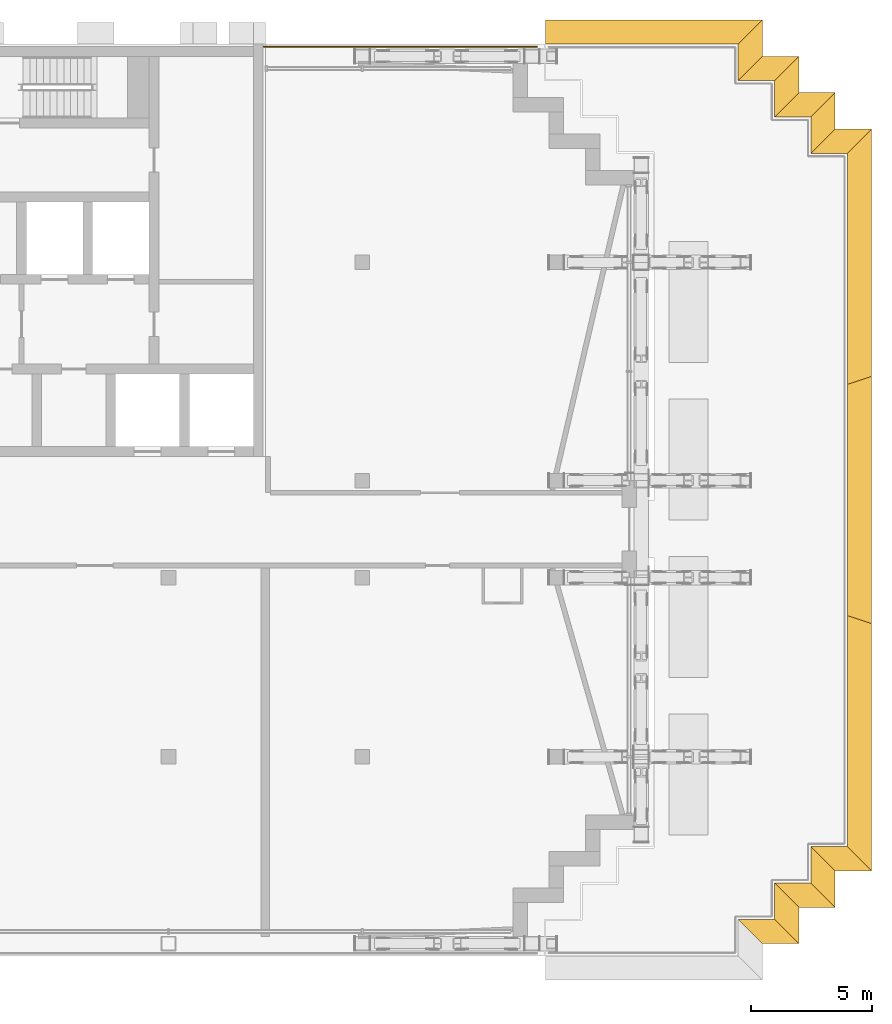
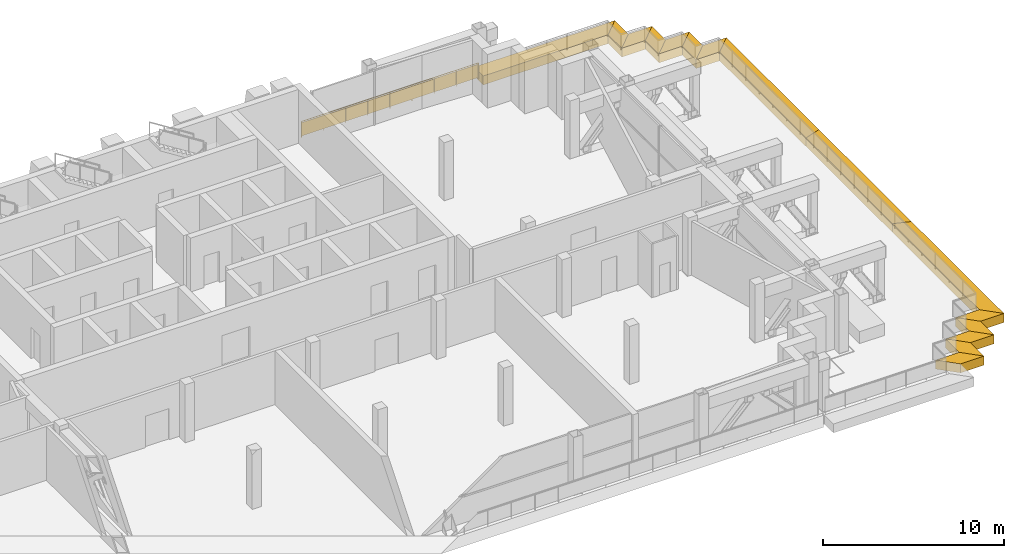
# One storey, part 21 of 21: 15 shading devices, 1 railing.
"""IFC4 building model written with IfcOpenShell, lengths in metres."""

from ifc_helpers import new_model, si_unit, direction, frame, origin, origin_2d, place, context, subcontext, project, spatial, polyline, rectangle, circle, outline, extrude, material, layer, layer_set, type_object, element, save


model = new_model("IFC4")

# Units and contexts
model_context = context("Model", 3, precision=1e-05, world=origin(), true_north=direction((0.0, 1.0)))
body_context = subcontext(model_context, "Body", "Model", "MODEL_VIEW")
ifc_project = project(units=[si_unit("LENGTHUNIT", "METRE"), si_unit("AREAUNIT", "SQUARE_METRE"), si_unit("VOLUMEUNIT", "CUBIC_METRE"), si_unit("PLANEANGLEUNIT", "RADIAN"), si_unit("MASSUNIT", "GRAM", prefix="KILO")], contexts=[model_context])

# Site, building, storey
site_placement = place(None, origin())
site = spatial("IfcSite", under=ifc_project, at=site_placement, CompositionType="ELEMENT")
building_placement = place(site_placement, origin())
building = spatial("IfcBuilding", under=site, at=building_placement, Name="Vidyagriha Tower", CompositionType="ELEMENT")
storey_placement = place(building_placement, frame((0.0, 0.0, 203.699951171875)))
storey = spatial("IfcBuildingStorey", under=building, at=storey_placement, Name="L52", CompositionType="ELEMENT", Elevation=203.699951171875)

# Shading devices
ifc_material_1 = material(Name="Precast concrete C40/50 with brick facing", Category="concrete")
ifc_layer = layer(ifc_material_1, 1.0)
ifc_layer_set = layer_set([ifc_layer], Name="Precast concrete C40/50 with brick facing")
shading_device_type = type_object("IfcShadingDeviceType", Name="Brick chhajja fascia 600", PredefinedType="USERDEFINED", material=ifc_layer_set)
shading_device_1_placement = place(storey_placement, frame((0.0, 0.0, -0.599853515625)))
element("IfcShadingDevice", 1, at=shading_device_1_placement, inside=storey, type_object=shading_device_type, Name="Chhajja fascia TR-B5-1 3", ObjectType="CHHAJJA", PredefinedType="USERDEFINED", context=body_context, shape_type="SweptSolid", body=[
    extrude(outline(polyline([(33.5, -16.10009765625), (34.5, -17.10009765625), (36.0, -17.10009765625), (35.0, -16.10009765625), (33.5, -16.10009765625)])), origin(), (0.0, 0.0, 1.0), 0.599853515625),
])
shading_device_2_placement = place(storey_placement, frame((0.0, 0.0, -0.599853515625)))
element("IfcShadingDevice", 2, at=shading_device_2_placement, inside=storey, type_object=shading_device_type, Name="Chhajja fascia TR-B5-1 4", ObjectType="CHHAJJA", PredefinedType="USERDEFINED", context=body_context, shape_type="SweptSolid", body=[
    extrude(outline(polyline([(35.0, -16.10009765625), (36.0, -17.10009765625), (36.0, -15.60009765625), (35.0, -14.60009765625), (35.0, -16.10009765625)])), origin(), (0.0, 0.0, 1.0), 0.599853515625),
])
shading_device_3_placement = place(storey_placement, frame((0.0, 0.0, -0.599853515625)))
element("IfcShadingDevice", 3, at=shading_device_3_placement, inside=storey, type_object=shading_device_type, Name="Chhajja fascia TR-B5-1 5", ObjectType="CHHAJJA", PredefinedType="USERDEFINED", context=body_context, shape_type="SweptSolid", body=[
    extrude(outline(polyline([(35.0, -14.60009765625), (36.0, -15.60009765625), (37.5, -15.60009765625), (36.5, -14.60009765625), (35.0, -14.60009765625)])), origin(), (0.0, 0.0, 1.0), 0.599853515625),
])
shading_device_4_placement = place(storey_placement, frame((0.0, 0.0, -0.599853515625)))
element("IfcShadingDevice", 4, at=shading_device_4_placement, inside=storey, type_object=shading_device_type, Name="Chhajja fascia TR-B5-1 6", ObjectType="CHHAJJA", PredefinedType="USERDEFINED", context=body_context, shape_type="SweptSolid", body=[
    extrude(outline(polyline([(36.5, -14.60009765625), (37.5, -15.60009765625), (37.5, -14.10009765625), (36.5, -13.10009765625), (36.5, -14.60009765625)])), origin(), (0.0, 0.0, 1.0), 0.599853515625),
])
shading_device_5_placement = place(storey_placement, frame((0.0, 0.0, -0.599853515625)))
element("IfcShadingDevice", 5, at=shading_device_5_placement, inside=storey, type_object=shading_device_type, Name="Chhajja fascia TR-B5-1 7", ObjectType="CHHAJJA", PredefinedType="USERDEFINED", context=body_context, shape_type="SweptSolid", body=[
    extrude(outline(polyline([(36.5, -13.10009765625), (37.5, -14.10009765625), (39.0, -14.10009765625), (38.0, -13.10009765625), (36.5, -13.10009765625)])), origin(), (0.0, 0.0, 1.0), 0.599853515625),
])
shading_device_6_placement = place(storey_placement, frame((0.0, 0.0, -0.599853515625)))
element("IfcShadingDevice", 6, at=shading_device_6_placement, inside=storey, type_object=shading_device_type, Name="Chhajja fascia TR-B5-1 8", ObjectType="CHHAJJA", PredefinedType="USERDEFINED", context=body_context, shape_type="SweptSolid", body=[
    extrude(outline(polyline([(38.0, -13.10009765625), (39.0, -14.10009765625), (39.0, -3.89990234375), (38.0, -3.566650390625), (38.0, -13.10009765625)])), origin(), (0.0, 0.0, 1.0), 0.599853515625),
])
shading_device_7_placement = place(storey_placement, frame((0.0, 0.0, -0.599853515625)))
element("IfcShadingDevice", 7, at=shading_device_7_placement, inside=storey, type_object=shading_device_type, Name="Chhajja fascia TR-B5-1 9", ObjectType="CHHAJJA", PredefinedType="USERDEFINED", context=body_context, shape_type="SweptSolid", body=[
    extrude(outline(polyline([(38.0, -3.566650390625), (39.0, -3.89990234375), (39.0, 6.300048828125), (38.0, 5.966796875), (38.0, -3.566650390625)])), origin(), (0.0, 0.0, 1.0), 0.599853515625),
])
shading_device_8_placement = place(storey_placement, frame((0.0, 0.0, -0.599853515625)))
element("IfcShadingDevice", 8, at=shading_device_8_placement, inside=storey, type_object=shading_device_type, Name="Chhajja fascia TR-B5-1 10", ObjectType="CHHAJJA", PredefinedType="USERDEFINED", context=body_context, shape_type="SweptSolid", body=[
    extrude(outline(polyline([(38.0, 5.966796875), (39.0, 6.300048828125), (39.0, 16.5), (38.0, 15.5), (38.0, 5.966796875)])), origin(), (0.0, 0.0, 1.0), 0.599853515625),
])
shading_device_9_placement = place(storey_placement, frame((0.0, 0.0, -0.599853515625)))
element("IfcShadingDevice", 9, at=shading_device_9_placement, inside=storey, type_object=shading_device_type, Name="Chhajja fascia TR-B5-1 11", ObjectType="CHHAJJA", PredefinedType="USERDEFINED", context=body_context, shape_type="SweptSolid", body=[
    extrude(outline(polyline([(38.0, 15.5), (39.0, 16.5), (37.5, 16.5), (36.5, 15.5), (38.0, 15.5)])), origin(), (0.0, 0.0, 1.0), 0.599853515625),
])
shading_device_10_placement = place(storey_placement, frame((0.0, 0.0, -0.599853515625)))
element("IfcShadingDevice", 10, at=shading_device_10_placement, inside=storey, type_object=shading_device_type, Name="Chhajja fascia TR-B5-1 12", ObjectType="CHHAJJA", PredefinedType="USERDEFINED", context=body_context, shape_type="SweptSolid", body=[
    extrude(outline(polyline([(36.5, 15.5), (37.5, 16.5), (37.5, 18.0), (36.5, 17.0), (36.5, 15.5)])), origin(), (0.0, 0.0, 1.0), 0.599853515625),
])
shading_device_11_placement = place(storey_placement, frame((0.0, 0.0, -0.599853515625)))
element("IfcShadingDevice", 11, at=shading_device_11_placement, inside=storey, type_object=shading_device_type, Name="Chhajja fascia TR-B5-1 13", ObjectType="CHHAJJA", PredefinedType="USERDEFINED", context=body_context, shape_type="SweptSolid", body=[
    extrude(outline(polyline([(36.5, 17.0), (37.5, 18.0), (36.0, 18.0), (35.0, 17.0), (36.5, 17.0)])), origin(), (0.0, 0.0, 1.0), 0.599853515625),
])
shading_device_12_placement = place(storey_placement, frame((0.0, 0.0, -0.599853515625)))
element("IfcShadingDevice", 12, at=shading_device_12_placement, inside=storey, type_object=shading_device_type, Name="Chhajja fascia TR-B5-1 14", ObjectType="CHHAJJA", PredefinedType="USERDEFINED", context=body_context, shape_type="SweptSolid", body=[
    extrude(outline(polyline([(35.0, 17.0), (36.0, 18.0), (36.0, 19.5), (35.0, 18.5), (35.0, 17.0)])), origin(), (0.0, 0.0, 1.0), 0.599853515625),
])
shading_device_13_placement = place(storey_placement, frame((0.0, 0.0, -0.599853515625)))
element("IfcShadingDevice", 13, at=shading_device_13_placement, inside=storey, type_object=shading_device_type, Name="Chhajja fascia TR-B5-1 15", ObjectType="CHHAJJA", PredefinedType="USERDEFINED", context=body_context, shape_type="SweptSolid", body=[
    extrude(outline(polyline([(35.0, 18.5), (36.0, 19.5), (34.5, 19.5), (33.5, 18.5), (35.0, 18.5)])), origin(), (0.0, 0.0, 1.0), 0.599853515625),
])
shading_device_14_placement = place(storey_placement, frame((0.0, 0.0, -0.599853515625)))
element("IfcShadingDevice", 14, at=shading_device_14_placement, inside=storey, type_object=shading_device_type, Name="Chhajja fascia TR-B5-1 16", ObjectType="CHHAJJA", PredefinedType="USERDEFINED", context=body_context, shape_type="SweptSolid", body=[
    extrude(outline(polyline([(33.5, 18.5), (34.5, 19.5), (34.5, 21.0), (33.5, 20.0), (33.5, 18.5)])), origin(), (0.0, 0.0, 1.0), 0.599853515625),
])
shading_device_15_placement = place(storey_placement, frame((0.0, 0.0, -0.599853515625)))
element("IfcShadingDevice", 15, at=shading_device_15_placement, inside=storey, type_object=shading_device_type, Name="Chhajja fascia TR-B5-1 17", ObjectType="CHHAJJA", PredefinedType="USERDEFINED", context=body_context, shape_type="SweptSolid", body=[
    extrude(outline(polyline([(33.5, 20.0), (34.5, 21.0), (25.550048828125, 21.0), (25.550048828125, 20.0), (33.5, 20.0)])), origin(), (0.0, 0.0, 1.0), 0.599853515625),
])

# Railing
ifc_material_2 = material(Name="Steel ASTM A500 Grade C black painted", Category="steel")
railing_type = type_object("IfcRailingType", Name="Gallery guard 1100", PredefinedType="GUARDRAIL", material=ifc_material_2)
railing_placement = place(storey_placement, frame((13.929931640625, 19.89990234375, 0.0)))
element("IfcRailing", 16, at=railing_placement, inside=storey, type_object=railing_type, Name="Gallery guard L52 11", PredefinedType="GUARDRAIL", context=body_context, shape_type="SweptSolid", body=[
    extrude(circle(Radius=0.02490234375, at=origin_2d()), frame((0.0, 0.0, 1.0751953125), z_axis=(1.0, 0.0, 0.0), x_axis=(0.0, 1.0, 0.0)), (0.0, 0.0, 1.0), 11.260009765625),
    extrude(circle(Radius=0.02001953125, at=origin_2d()), origin(), (0.0, 0.0, 1.0), 1.050048828125),
    extrude(circle(Radius=0.02001953125, at=origin_2d()), frame((1.407470703125, 0.0, 0.0)), (0.0, 0.0, 1.0), 1.050048828125),
    extrude(circle(Radius=0.02001953125, at=origin_2d()), frame((2.81494140625, 0.0, 0.0)), (0.0, 0.0, 1.0), 1.050048828125),
    extrude(circle(Radius=0.02001953125, at=origin_2d()), frame((4.222412109375, 0.0, 0.0)), (0.0, 0.0, 1.0), 1.050048828125),
    extrude(circle(Radius=0.02001953125, at=origin_2d()), frame((5.6298828125, 0.0, 0.0)), (0.0, 0.0, 1.0), 1.050048828125),
    extrude(circle(Radius=0.02001953125, at=origin_2d()), frame((7.03759765625, 0.0, 0.0)), (0.0, 0.0, 1.0), 1.050048828125),
    extrude(circle(Radius=0.02001953125, at=origin_2d()), frame((8.445068359375, 0.0, 0.0)), (0.0, 0.0, 1.0), 1.050048828125),
    extrude(circle(Radius=0.02001953125, at=origin_2d()), frame((9.8525390625, 0.0, 0.0)), (0.0, 0.0, 1.0), 1.050048828125),
    extrude(circle(Radius=0.02001953125, at=origin_2d()), frame((11.260009765625, 0.0, 0.0)), (0.0, 0.0, 1.0), 1.050048828125),
    extrude(rectangle(XDim=0.010009765625, YDim=0.900146484375, at=origin_2d()), frame((0.0, 0.0, 0.550048828125), z_axis=(1.0, 0.0, 0.0), x_axis=(0.0, 1.0, 0.0)), (0.0, 0.0, 1.0), 11.260009765625),
])

save(model, "model.ifc")
